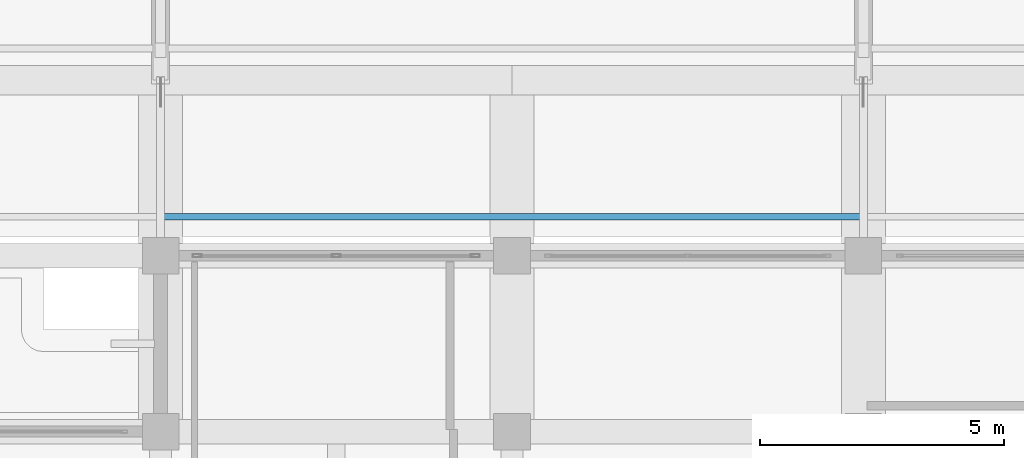
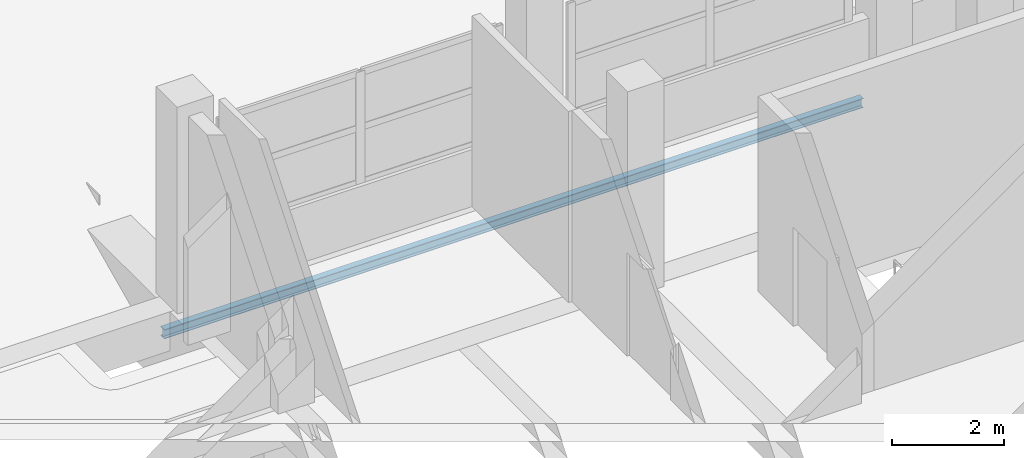
# One storey, part 74 of 141: 1 member.
"""IFC4 building model written with IfcOpenShell, lengths in metres."""

from ifc_helpers import new_model, si_unit, direction, frame, origin, origin_2d, place, context, subcontext, project, spatial, i_section, extrude, material, material_profile, profile_set, type_object, element, save


model = new_model("IFC4")

# Units and contexts
model_context = context("Model", 3, precision=1e-05, world=origin(), true_north=direction((0.0, 1.0)))
body_context = subcontext(model_context, "Body", "Model", "MODEL_VIEW")
ifc_project = project(units=[si_unit("LENGTHUNIT", "METRE"), si_unit("AREAUNIT", "SQUARE_METRE"), si_unit("VOLUMEUNIT", "CUBIC_METRE"), si_unit("PLANEANGLEUNIT", "RADIAN"), si_unit("MASSUNIT", "GRAM", prefix="KILO")], contexts=[model_context])

# Site, building, storey
site_placement = place(None, origin())
site = spatial("IfcSite", under=ifc_project, at=site_placement, CompositionType="ELEMENT")
building_placement = place(site_placement, origin())
building = spatial("IfcBuilding", under=site, at=building_placement, Name="Seraya Terrace Polytechnic", CompositionType="ELEMENT")
storey_placement = place(building_placement, frame((0.0, 0.0, 14.39990234375)))
storey = spatial("IfcBuildingStorey", under=building, at=storey_placement, Name="L03", CompositionType="ELEMENT", Elevation=14.39990234375)

# Member
ifc_material = material(Name="Steel S355J2", Category="steel")
ifc_material_profile = material_profile(ifc_material, i_section(OverallWidth=0.133056640625, OverallDepth=0.202880859375, WebThickness=0.00634765625, FlangeThickness=0.01171875, at=origin_2d()), Name="UKB 203x133x6.4x11.8")
ifc_profile_set = profile_set([ifc_material_profile], Name="Steel S355J2")
member_type = type_object("IfcMemberType", Name="PR-02", PredefinedType="PURLIN", material=ifc_profile_set)
member_placement = place(storey_placement, frame((43.199951171875, 76.39990234375, -1.247802734375), z_axis=(1.0, 0.0, 0.0), x_axis=(0.0, 1.0, 0.0)))
element("IfcMember", 1, at=member_placement, inside=storey, type_object=member_type, Name="Workshop roof purlin PR-02 bay 3.1", PredefinedType="PURLIN", context=body_context, shape_type="SweptSolid", body=[
    extrude(i_section(OverallWidth=0.133056640625, OverallDepth=0.202880859375, WebThickness=0.00634765625, FlangeThickness=0.01171875, at=origin_2d()), origin(), (0.0, 0.0, 1.0), 14.400146484375),
])

save(model, "model.ifc")
